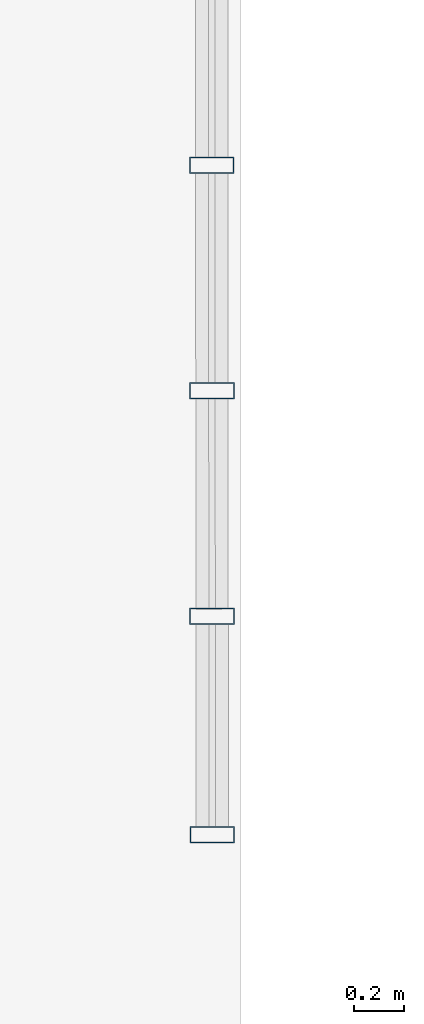
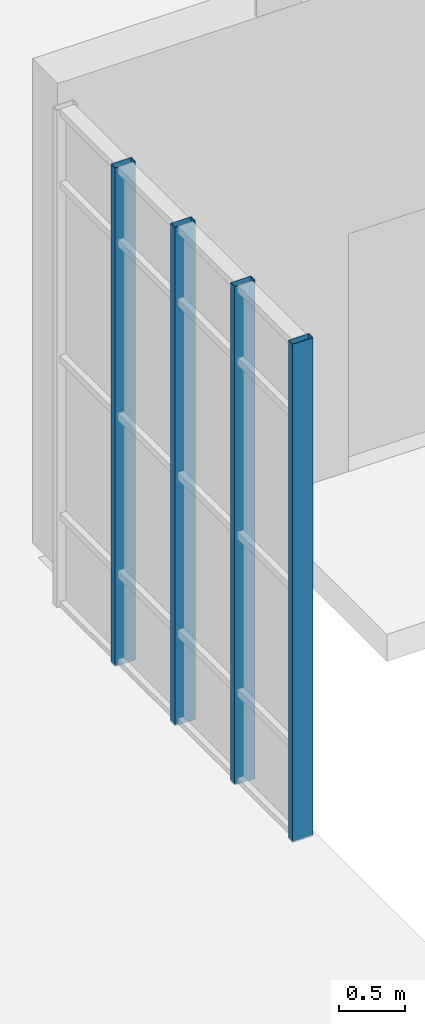
# One storey, part 37 of 189: 4 members, 1 element without a shape of its own.
"""IFC4 building model written with IfcOpenShell, lengths in metres."""

from ifc_helpers import new_model, si_unit, direction, frame, origin, origin_2d, place, context, subcontext, project, spatial, hollow_rectangle, extrude, material, layer, layer_set, material_profile, profile_set, type_object, element, aggregate, save


model = new_model("IFC4")

# Units and contexts
model_context = context("Model", 3, precision=1e-05, world=origin(), true_north=direction((0.0, 1.0)))
body_context = subcontext(model_context, "Body", "Model", "MODEL_VIEW")
ifc_project = project(units=[si_unit("LENGTHUNIT", "METRE"), si_unit("AREAUNIT", "SQUARE_METRE"), si_unit("VOLUMEUNIT", "CUBIC_METRE"), si_unit("PLANEANGLEUNIT", "RADIAN"), si_unit("MASSUNIT", "GRAM", prefix="KILO"), si_unit("THERMODYNAMICTEMPERATUREUNIT", "KELVIN"), si_unit("POWERUNIT", "WATT")], contexts=[model_context])

# Site, building, storey
site_placement = place(None, origin())
site = spatial("IfcSite", under=ifc_project, at=site_placement, CompositionType="ELEMENT")
building_placement = place(site_placement, origin())
building = spatial("IfcBuilding", under=site, at=building_placement, Name="Zelmaris Science Centre", CompositionType="ELEMENT")
storey_placement = place(building_placement, origin())
storey = spatial("IfcBuildingStorey", under=building, at=storey_placement, Name="L00", CompositionType="ELEMENT", Elevation=0.0)

# Curtain wall, members
ifc_material = material(Name="Anodised architectural aluminium 6063-T6", Category="aluminium")
ifc_layer = layer(ifc_material, 0.2099609375, Name="Anodised architectural aluminium 6063-T6")
ifc_layer_set = layer_set([ifc_layer], Name="Anodised architectural aluminium 6063-T6")
curtain_wall_type = type_object("IfcCurtainWallType", Name="Curtain Wall CW-03", PredefinedType="USERDEFINED", material=ifc_layer_set)
curtain_wall_placement = place(storey_placement, origin())
curtain_wall = element("IfcCurtainWall", 1, at=curtain_wall_placement, inside=storey, type_object=curtain_wall_type, Name="L00 Unitised curtain wall 39", ObjectType="GLAZED CURTAIN WALL", PredefinedType="USERDEFINED")
ifc_material_profile = material_profile(ifc_material, hollow_rectangle(XDim=0.06494140625, YDim=0.179931640625, WallThickness=0.00390625, at=origin_2d()), Name="ALU-MUL-65X180")
ifc_profile_set = profile_set([ifc_material_profile], Name="Anodised architectural aluminium 6063-T6")
member_type = type_object("IfcMemberType", Name="ALU-MUL-65X180", PredefinedType="MULLION", material=ifc_profile_set)
member_1_placement = place(storey_placement, frame((33.883544921875, 54.51123046875, -0.014892578125), z_axis=(0.0, 0.0, 1.0), x_axis=(0.000692895658, -0.999999759948, 0.0)))
member_1 = element("IfcMember", 2, at=member_1_placement, type_object=member_type, Name="CW-03 mullion 2", PredefinedType="MULLION", context=body_context, shape_type="SweptSolid", body=[
    extrude(hollow_rectangle(XDim=0.06494140625, YDim=0.179931640625, WallThickness=0.00390625, at=origin_2d()), origin(), (0.0, 0.0, 1.0), 4.614990234375),
])
member_2_placement = place(storey_placement, frame((33.88427734375, 53.60546875, -0.014892578125), z_axis=(0.0, 0.0, 1.0), x_axis=(0.000692895658, -0.999999759948, 0.0)))
member_2 = element("IfcMember", 3, at=member_2_placement, type_object=member_type, Name="CW-03 mullion 3", PredefinedType="MULLION", context=body_context, shape_type="SweptSolid", body=[
    extrude(hollow_rectangle(XDim=0.06494140625, YDim=0.179931640625, WallThickness=0.00390625, at=origin_2d()), origin(), (0.0, 0.0, 1.0), 4.614990234375),
])
member_3_placement = place(storey_placement, frame((33.884765625, 52.699462890625, -0.014892578125), z_axis=(0.0, 0.0, 1.0), x_axis=(0.000692895658, -0.999999759948, 0.0)))
member_3 = element("IfcMember", 4, at=member_3_placement, type_object=member_type, Name="CW-03 mullion 4", PredefinedType="MULLION", context=body_context, shape_type="SweptSolid", body=[
    extrude(hollow_rectangle(XDim=0.06494140625, YDim=0.179931640625, WallThickness=0.00390625, at=origin_2d()), origin(), (0.0, 0.0, 1.0), 4.614990234375),
])
member_4_placement = place(storey_placement, frame((33.885498046875, 51.822021484375, -0.014892578125), z_axis=(0.0, 0.0, 1.0), x_axis=(0.000692895658, -0.999999759948, 0.0)))
member_4 = element("IfcMember", 5, at=member_4_placement, type_object=member_type, Name="CW-03 mullion 5", PredefinedType="MULLION", context=body_context, shape_type="SweptSolid", body=[
    extrude(hollow_rectangle(XDim=0.06494140625, YDim=0.179931640625, WallThickness=0.00390625, at=origin_2d()), origin(), (0.0, 0.0, 1.0), 4.614990234375),
])
aggregate(curtain_wall, [member_1, member_2, member_3, member_4])

save(model, "model.ifc")
